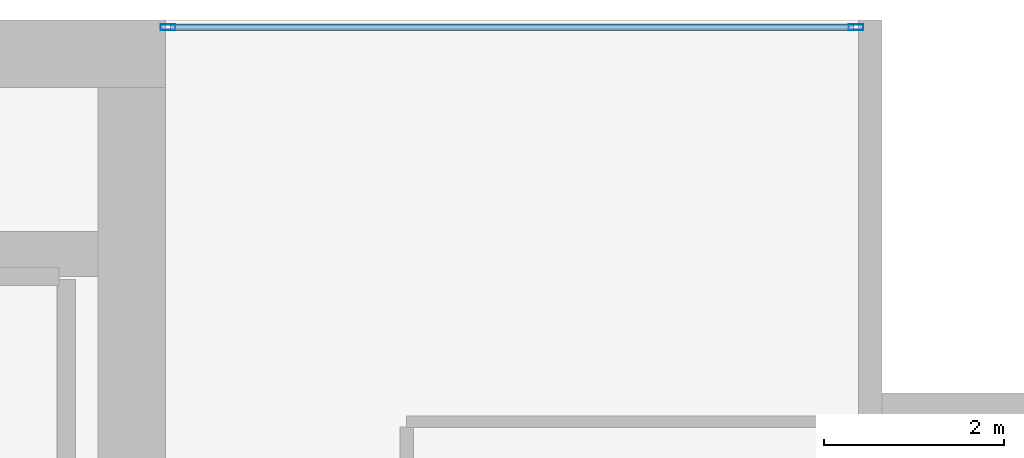
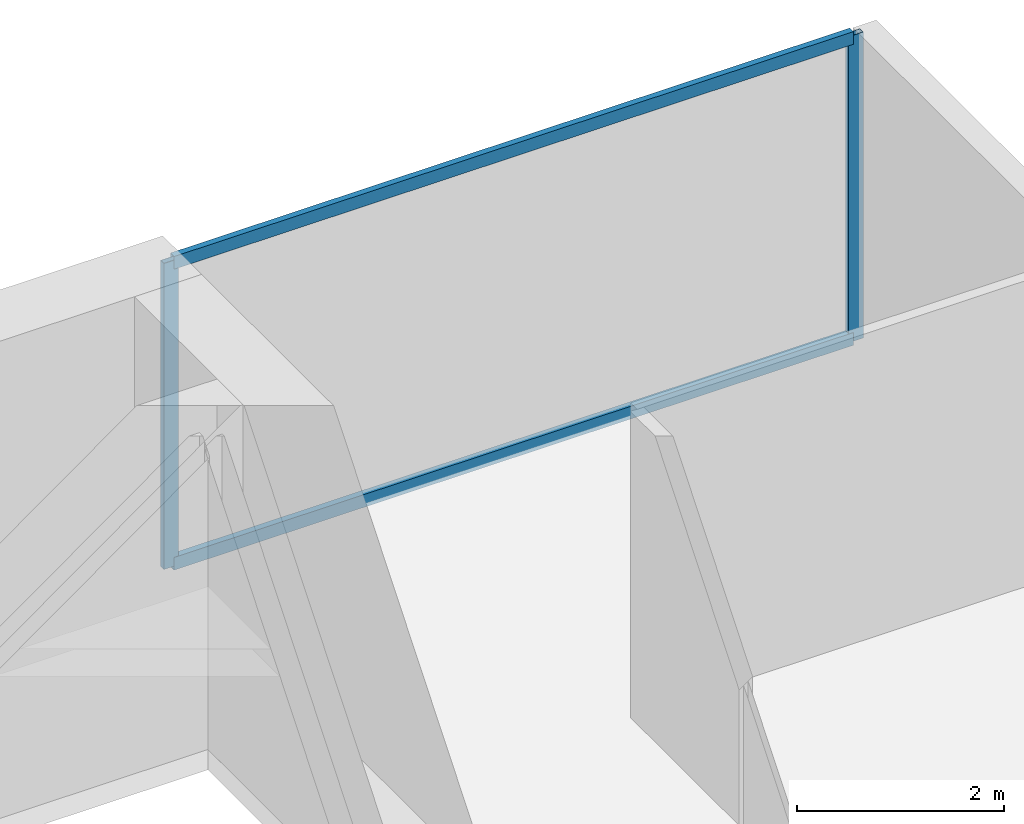
# One storey, part 25 of 34: 4 members, 1 element without a shape of its own.
"""IFC4 building model written with IfcOpenShell, lengths in metres."""

from ifc_helpers import new_model, si_unit, direction, frame, origin, origin_2d, place, context, subcontext, project, spatial, hollow_rectangle, extrude, material, layer, layer_set, material_profile, profile_set, type_object, element, aggregate, save


model = new_model("IFC4")

# Units and contexts
model_context = context("Model", 3, precision=1e-05, world=origin(), true_north=direction((0.0, 1.0)))
body_context = subcontext(model_context, "Body", "Model", "MODEL_VIEW")
ifc_project = project(units=[si_unit("LENGTHUNIT", "METRE"), si_unit("AREAUNIT", "SQUARE_METRE"), si_unit("VOLUMEUNIT", "CUBIC_METRE"), si_unit("PLANEANGLEUNIT", "RADIAN"), si_unit("MASSUNIT", "GRAM", prefix="KILO")], contexts=[model_context])

# Site, building, storey
site_placement = place(None, origin())
site = spatial("IfcSite", under=ifc_project, at=site_placement, CompositionType="ELEMENT")
building_placement = place(site_placement, origin())
building = spatial("IfcBuilding", under=site, at=building_placement, Name="Maruvema Waterfront Hotel and Observation Tower", CompositionType="ELEMENT")
storey_placement = place(building_placement, frame((0.0, 0.0, 135.10009765625)))
storey = spatial("IfcBuildingStorey", under=building, at=storey_placement, Name="L32", CompositionType="ELEMENT", Elevation=135.10009765625)

# Curtain wall, members
ifc_material_1 = material(Name="Anodised bronze aluminium and solar-control low-E IGU", Category="aluminium")
ifc_layer = layer(ifc_material_1, 0.159912109375, Name="Zone 2 Amber Inner Thermal Curtain Wall System CW-03")
ifc_layer_set = layer_set([ifc_layer], Name="Anodised bronze aluminium and solar-control low-E IGU")
curtain_wall_type = type_object("IfcCurtainWallType", Name="Zone 2 Amber Inner Thermal Curtain Wall System CW-03", PredefinedType="USERDEFINED", material=ifc_layer_set)
curtain_wall_placement = place(storey_placement, origin())
curtain_wall = element("IfcCurtainWall", 1, at=curtain_wall_placement, inside=storey, type_object=curtain_wall_type, Name="L32 Curtain Wall CW-L32-NE", ObjectType="UNITISED CURTAIN WALL", PredefinedType="USERDEFINED")
ifc_material_2 = material(Name="Anodised architectural bronze aluminium", Category="aluminium")
ifc_material_profile_1 = material_profile(ifc_material_2, hollow_rectangle(XDim=0.070068359375, YDim=0.14990234375, WallThickness=0.00390625, at=origin_2d()), Name="ALU-T70x150")
ifc_profile_set_1 = profile_set([ifc_material_profile_1], Name="Anodised architectural bronze aluminium")
member_type_1 = type_object("IfcMemberType", Name="Curtain Wall Horizontal Transom ALU-T70x150", PredefinedType="USERDEFINED", material=ifc_profile_set_1)
member_1_placement = place(storey_placement, frame((58.0400390625, 53.919921875, 0.02978515625), z_axis=(-1.0, 0.0, 0.0), x_axis=(0.0, -1.0, 0.0)))
member_1 = element("IfcMember", 2, at=member_1_placement, type_object=member_type_1, Name="CW-03 transom 1.1", ObjectType="TRANSOM", PredefinedType="USERDEFINED", context=body_context, shape_type="SweptSolid", body=[
    extrude(hollow_rectangle(XDim=0.070068359375, YDim=0.14990234375, WallThickness=0.00390625, at=origin_2d()), origin(), (0.0, 0.0, 1.0), 7.580078125),
])
member_2_placement = place(storey_placement, frame((58.0400390625, 53.919921875, 3.579833984375), z_axis=(-1.0, 0.0, 0.0), x_axis=(0.0, -1.0, 0.0)))
member_2 = element("IfcMember", 3, at=member_2_placement, type_object=member_type_1, Name="CW-03 transom 1.2", ObjectType="TRANSOM", PredefinedType="USERDEFINED", context=body_context, shape_type="SweptSolid", body=[
    extrude(hollow_rectangle(XDim=0.070068359375, YDim=0.14990234375, WallThickness=0.00390625, at=origin_2d()), origin(), (0.0, 0.0, 1.0), 7.580078125),
])
ifc_material_3 = material(Name="Anodised architectural bronze aluminium", Category="aluminium")
ifc_material_profile_2 = material_profile(ifc_material_3, hollow_rectangle(XDim=0.06494140625, YDim=0.1650390625, WallThickness=0.00390625, at=origin_2d()), Name="ALU-M65x165")
ifc_profile_set_2 = profile_set([ifc_material_profile_2], Name="Anodised architectural bronze aluminium")
member_type_2 = type_object("IfcMemberType", Name="Curtain Wall Primary Mullion ALU-M65x165", PredefinedType="MULLION", material=ifc_profile_set_2)
member_3_placement = place(storey_placement, frame((58.070068359375, 53.919921875, 0.0), z_axis=(0.0, 0.0, 1.0), x_axis=(0.0, -1.0, 0.0)))
member_3 = element("IfcMember", 4, at=member_3_placement, type_object=member_type_2, Name="CW-03 mullion 1", PredefinedType="MULLION", context=body_context, shape_type="SweptSolid", body=[
    extrude(hollow_rectangle(XDim=0.06494140625, YDim=0.1650390625, WallThickness=0.00390625, at=origin_2d()), origin(), (0.0, 0.0, 1.0), 3.60986328125),
])
member_4_placement = place(storey_placement, frame((50.429931640625, 53.919921875, 0.0), z_axis=(0.0, 0.0, 1.0), x_axis=(0.0, -1.0, 0.0)))
member_4 = element("IfcMember", 5, at=member_4_placement, type_object=member_type_2, Name="CW-03 mullion 2", PredefinedType="MULLION", context=body_context, shape_type="SweptSolid", body=[
    extrude(hollow_rectangle(XDim=0.06494140625, YDim=0.1650390625, WallThickness=0.00390625, at=origin_2d()), origin(), (0.0, 0.0, 1.0), 3.60986328125),
])
aggregate(curtain_wall, [member_3, member_4, member_1, member_2])

save(model, "model.ifc")
